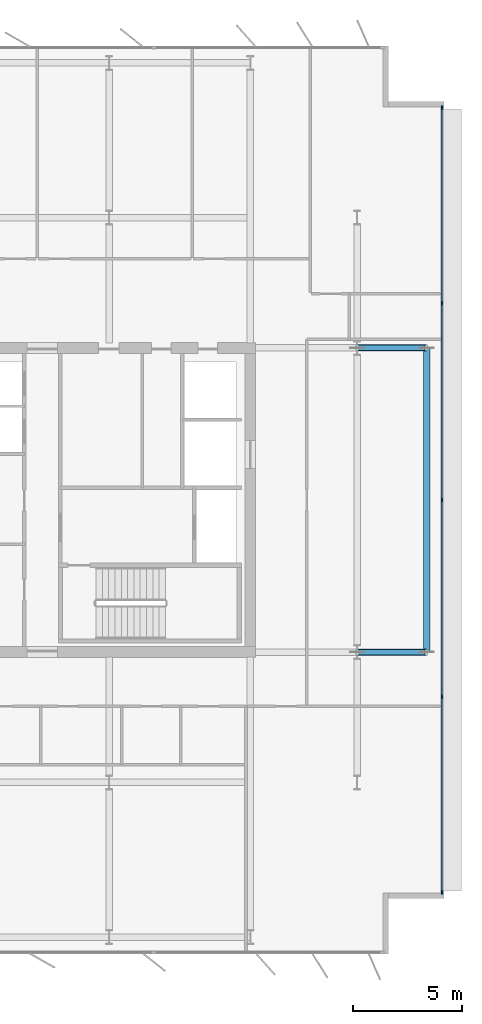
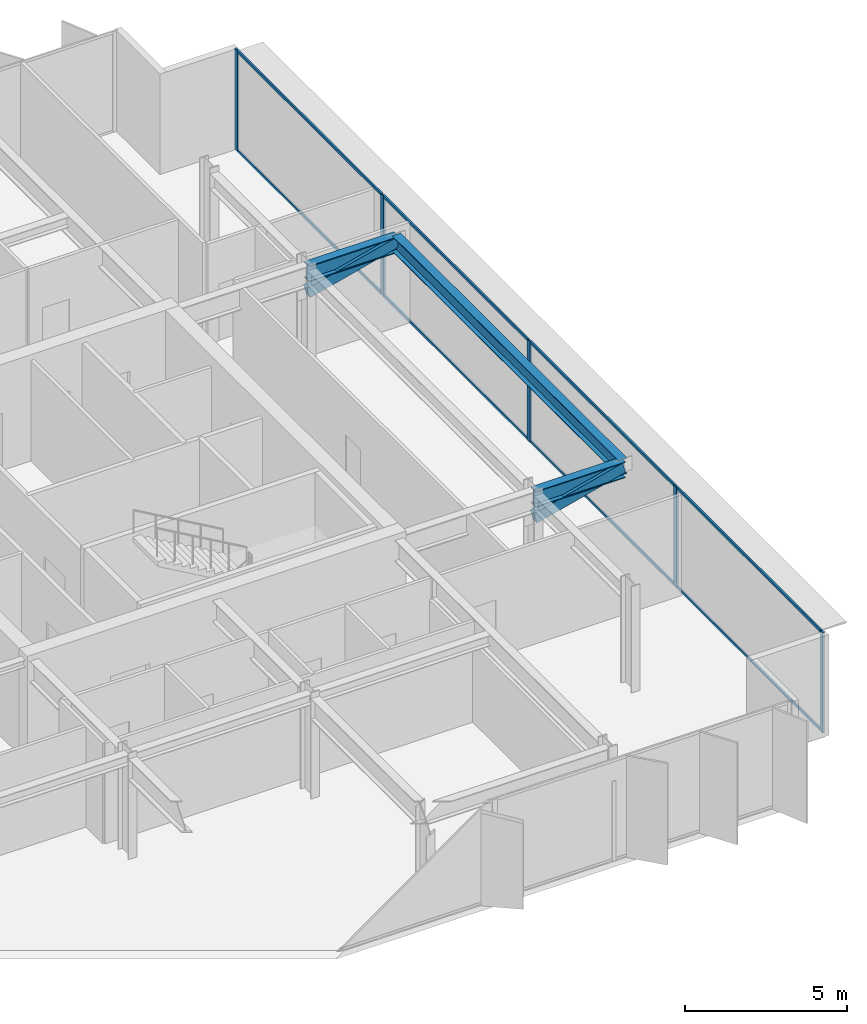
# One storey, part 10 of 20: 15 members, 3 beams, 1 element without a shape of its own.
"""IFC4 building model written with IfcOpenShell, lengths in metres."""

from ifc_helpers import new_model, si_unit, direction, frame, origin, origin_2d, place, context, subcontext, project, spatial, rectangle, hollow_rectangle, i_section, extrude, material, layer, layer_set, material_profile, profile_set, type_object, element, aggregate, save


model = new_model("IFC4")

# Units and contexts
model_context = context("Model", 3, precision=1e-05, world=origin(), true_north=direction((0.0, 1.0)))
body_context = subcontext(model_context, "Body", "Model", "MODEL_VIEW")
ifc_project = project(units=[si_unit("LENGTHUNIT", "METRE"), si_unit("AREAUNIT", "SQUARE_METRE"), si_unit("VOLUMEUNIT", "CUBIC_METRE"), si_unit("PLANEANGLEUNIT", "RADIAN"), si_unit("MASSUNIT", "GRAM", prefix="KILO")], contexts=[model_context])

# Site, building, storey
site_placement = place(None, origin())
site = spatial("IfcSite", under=ifc_project, at=site_placement, CompositionType="ELEMENT")
building_placement = place(site_placement, origin())
building = spatial("IfcBuilding", under=site, at=building_placement, Name="Putna Gate Headquarters", CompositionType="ELEMENT")
storey_placement = place(building_placement, frame((0.0, 0.0, 298.39990234375)))
storey = spatial("IfcBuildingStorey", under=building, at=storey_placement, Name="L75", CompositionType="ELEMENT", Elevation=298.39990234375)

# Beams
ifc_material_1 = material(Name="Steel S355J2", Category="steel")
ifc_material_profile_1 = material_profile(ifc_material_1, i_section(OverallWidth=0.300048828125, OverallDepth=0.60009765625, WebThickness=0.015380859375, FlangeThickness=0.030029296875, at=origin_2d()), Name="Steel S355J2")
ifc_profile_set_1 = profile_set([ifc_material_profile_1], Name="Steel S355J2")
beam_type_1 = type_object("IfcBeamType", Name="BM-GIRD-SAIL-HEB600", PredefinedType="USERDEFINED", material=ifc_profile_set_1)
for number, where, z_axis, x_axis, name in (
    (1, (69.926025390625, 19.0, 3.488037109375), (1.0, 0.0, 0.0), (0.0, 1.0, 0.0), "L75 East Sail Outrigger Bracket Y19"),
    (2, (69.926025390625, 33.0, 3.488037109375), (1.0, 0.0, 0.0), (0.0, 1.0, 0.0), "L75 East Sail Outrigger Bracket Y33"),
):
    element("IfcBeam", number, at=place(storey_placement, frame(where, z_axis=z_axis, x_axis=x_axis)), inside=storey, type_object=beam_type_1, Name=name, ObjectType="GIRDER", PredefinedType="USERDEFINED", context=body_context, shape_type="SweptSolid", body=[
        extrude(i_section(OverallWidth=0.300048828125, OverallDepth=0.60009765625, WebThickness=0.015380859375, FlangeThickness=0.030029296875, at=origin_2d()), origin(), (0.0, 0.0, 1.0), 3.194091796875),
    ])
ifc_material_profile_2 = material_profile(ifc_material_1, i_section(OverallWidth=0.300048828125, OverallDepth=0.590087890625, WebThickness=0.012939453125, FlangeThickness=0.02490234375, at=origin_2d()), Name="Steel S355J2")
ifc_profile_set_2 = profile_set([ifc_material_profile_2], Name="Steel S355J2")
beam_type_2 = type_object("IfcBeamType", Name="BM-SPAN-Z4-HEA600", PredefinedType="SPANDREL", material=ifc_profile_set_2)
beam_placement = place(storey_placement, frame((73.1201171875, 19.02001953125, 3.4931640625), z_axis=(0.0, 1.0, 0.0), x_axis=(-1.0, 0.0, 0.0)))
element("IfcBeam", 3, at=beam_placement, inside=storey, type_object=beam_type_2, Name="L75 East Sail Edge Spandrel", PredefinedType="SPANDREL", context=body_context, shape_type="SweptSolid", body=[
    extrude(i_section(OverallWidth=0.300048828125, OverallDepth=0.590087890625, WebThickness=0.012939453125, FlangeThickness=0.02490234375, at=origin_2d()), origin(), (0.0, 0.0, 1.0), 13.9599609375),
])

# Members
ifc_material_2 = material(Name="Steel S460M", Category="steel")
ifc_material_profile_3 = material_profile(ifc_material_2, hollow_rectangle(XDim=0.25, YDim=0.39990234375, WallThickness=0.01611328125, at=origin_2d()), Name="Steel S460M")
ifc_profile_set_3 = profile_set([ifc_material_profile_3], Name="Steel S460M")
member_type_1 = type_object("IfcMemberType", Name="MEM-SAIL-BRACE-RHS400", PredefinedType="BRACE", material=ifc_profile_set_3)
for number, where, z_axis, x_axis, name in (
    (4, (69.934326171875, 19.0, 2.755126953125), (0.96875163726, 0.0, 0.24803279079), (0.0, 1.0, 0.0), "L75 East Sail Cantilever Raker Y19"),
    (5, (69.934326171875, 33.0, 2.755126953125), (0.96875163726, 0.0, 0.24803279079), (0.0, 1.0, 0.0), "L75 East Sail Cantilever Raker Y33"),
):
    element("IfcMember", number, at=place(storey_placement, frame(where, z_axis=z_axis, x_axis=x_axis)), inside=storey, type_object=member_type_1, Name=name, PredefinedType="BRACE", context=body_context, shape_type="SweptSolid", body=[
        extrude(hollow_rectangle(XDim=0.25, YDim=0.39990234375, WallThickness=0.01611328125, at=origin_2d()), origin(), (0.0, 0.0, 1.0), 3.258056640625),
    ])

# Curtain wall, members
ifc_material_3 = material(Name="Anodised bronze aluminium curtain wall", Category="aluminium")
ifc_layer = layer(ifc_material_3, 0.179931640625)
ifc_layer_set = layer_set([ifc_layer], Name="Anodised bronze aluminium curtain wall")
curtain_wall_type = type_object("IfcCurtainWallType", Name="CW-SYS-Z5", PredefinedType="USERDEFINED", material=ifc_layer_set)
curtain_wall_placement = place(storey_placement, origin())
curtain_wall = element("IfcCurtainWall", 6, at=curtain_wall_placement, inside=storey, type_object=curtain_wall_type, Name="L75 East Curtain Wall", ObjectType="STICK CURTAIN WALL", PredefinedType="USERDEFINED")
ifc_material_4 = material(Name="Anodised bronze aluminium EN AW-6060", Category="aluminium")
ifc_material_profile_4 = material_profile(ifc_material_4, rectangle(XDim=0.070068359375, YDim=0.179931640625, at=origin_2d()), Name="Anodised bronze aluminium EN AW-6060")
ifc_profile_set_4 = profile_set([ifc_material_profile_4], Name="Anodised bronze aluminium EN AW-6060")
member_type_2 = type_object("IfcMemberType", Name="MULL-CWM-5", PredefinedType="MULLION", material=ifc_profile_set_4)
member_1_placement = place(storey_placement, frame((73.8310546875, 7.93505859375, 0.0), z_axis=(0.0, 0.0, 1.0), x_axis=(-1.0, 0.0, 0.0)))
member_1 = element("IfcMember", 7, at=member_1_placement, type_object=member_type_2, Name="CWS-5 mullion 1", PredefinedType="MULLION", context=body_context, shape_type="SweptSolid", body=[
    extrude(rectangle(XDim=0.070068359375, YDim=0.179931640625, at=origin_2d()), origin(), (0.0, 0.0, 1.0), 3.7880859375),
])
member_2_placement = place(storey_placement, frame((73.8310546875, 16.949951171875, 0.0), z_axis=(0.0, 0.0, 1.0), x_axis=(-1.0, 0.0, 0.0)))
member_2 = element("IfcMember", 8, at=member_2_placement, type_object=member_type_2, Name="CWS-5 mullion 2", PredefinedType="MULLION", context=body_context, shape_type="SweptSolid", body=[
    extrude(rectangle(XDim=0.070068359375, YDim=0.179931640625, at=origin_2d()), origin(), (0.0, 0.0, 1.0), 3.7880859375),
])
member_3_placement = place(storey_placement, frame((73.8310546875, 26.0, 0.0), z_axis=(0.0, 0.0, 1.0), x_axis=(-1.0, 0.0, 0.0)))
member_3 = element("IfcMember", 9, at=member_3_placement, type_object=member_type_2, Name="CWS-5 mullion 3", PredefinedType="MULLION", context=body_context, shape_type="SweptSolid", body=[
    extrude(rectangle(XDim=0.070068359375, YDim=0.179931640625, at=origin_2d()), origin(), (0.0, 0.0, 1.0), 3.7880859375),
])
member_4_placement = place(storey_placement, frame((73.8310546875, 35.050048828125, 0.0), z_axis=(0.0, 0.0, 1.0), x_axis=(-1.0, 0.0, 0.0)))
member_4 = element("IfcMember", 10, at=member_4_placement, type_object=member_type_2, Name="CWS-5 mullion 4", PredefinedType="MULLION", context=body_context, shape_type="SweptSolid", body=[
    extrude(rectangle(XDim=0.070068359375, YDim=0.179931640625, at=origin_2d()), origin(), (0.0, 0.0, 1.0), 3.7880859375),
])
member_5_placement = place(storey_placement, frame((73.8310546875, 44.06494140625, 0.0), z_axis=(0.0, 0.0, 1.0), x_axis=(-1.0, 0.0, 0.0)))
member_5 = element("IfcMember", 11, at=member_5_placement, type_object=member_type_2, Name="CWS-5 mullion 5", PredefinedType="MULLION", context=body_context, shape_type="SweptSolid", body=[
    extrude(rectangle(XDim=0.070068359375, YDim=0.179931640625, at=origin_2d()), origin(), (0.0, 0.0, 1.0), 3.7880859375),
])
ifc_material_profile_5 = material_profile(ifc_material_4, rectangle(XDim=0.06005859375, YDim=0.10009765625, at=origin_2d()), Name="Anodised bronze aluminium EN AW-6060")
ifc_profile_set_5 = profile_set([ifc_material_profile_5], Name="Anodised bronze aluminium EN AW-6060")
member_type_3 = type_object("IfcMemberType", Name="TRAN-CWT-5", PredefinedType="USERDEFINED", material=ifc_profile_set_5)
member_6_placement = place(storey_placement, frame((73.8310546875, 7.969970703125, 0.030029296875), z_axis=(0.0, 1.0, 0.0), x_axis=(-1.0, 0.0, 0.0)))
member_6 = element("IfcMember", 12, at=member_6_placement, type_object=member_type_3, Name="CWS-5 transom 1.1", ObjectType="TRANSOM", PredefinedType="USERDEFINED", context=body_context, shape_type="SweptSolid", body=[
    extrude(rectangle(XDim=0.06005859375, YDim=0.10009765625, at=origin_2d()), origin(), (0.0, 0.0, 1.0), 8.945068359375),
])
member_7_placement = place(storey_placement, frame((73.8310546875, 7.969970703125, 3.758056640625), z_axis=(0.0, 1.0, 0.0), x_axis=(-1.0, 0.0, 0.0)))
member_7 = element("IfcMember", 13, at=member_7_placement, type_object=member_type_3, Name="CWS-5 transom 1.2", ObjectType="TRANSOM", PredefinedType="USERDEFINED", context=body_context, shape_type="SweptSolid", body=[
    extrude(rectangle(XDim=0.06005859375, YDim=0.10009765625, at=origin_2d()), origin(), (0.0, 0.0, 1.0), 8.945068359375),
])
member_8_placement = place(storey_placement, frame((73.8310546875, 16.985107421875, 0.030029296875), z_axis=(0.0, 1.0, 0.0), x_axis=(-1.0, 0.0, 0.0)))
member_8 = element("IfcMember", 14, at=member_8_placement, type_object=member_type_3, Name="CWS-5 transom 2.1", ObjectType="TRANSOM", PredefinedType="USERDEFINED", context=body_context, shape_type="SweptSolid", body=[
    extrude(rectangle(XDim=0.06005859375, YDim=0.10009765625, at=origin_2d()), origin(), (0.0, 0.0, 1.0), 8.97998046875),
])
member_9_placement = place(storey_placement, frame((73.8310546875, 16.985107421875, 3.758056640625), z_axis=(0.0, 1.0, 0.0), x_axis=(-1.0, 0.0, 0.0)))
member_9 = element("IfcMember", 15, at=member_9_placement, type_object=member_type_3, Name="CWS-5 transom 2.2", ObjectType="TRANSOM", PredefinedType="USERDEFINED", context=body_context, shape_type="SweptSolid", body=[
    extrude(rectangle(XDim=0.06005859375, YDim=0.10009765625, at=origin_2d()), origin(), (0.0, 0.0, 1.0), 8.97998046875),
])
member_10_placement = place(storey_placement, frame((73.8310546875, 26.034912109375, 0.030029296875), z_axis=(0.0, 1.0, 0.0), x_axis=(-1.0, 0.0, 0.0)))
member_10 = element("IfcMember", 16, at=member_10_placement, type_object=member_type_3, Name="CWS-5 transom 3.1", ObjectType="TRANSOM", PredefinedType="USERDEFINED", context=body_context, shape_type="SweptSolid", body=[
    extrude(rectangle(XDim=0.06005859375, YDim=0.10009765625, at=origin_2d()), origin(), (0.0, 0.0, 1.0), 8.97998046875),
])
member_11_placement = place(storey_placement, frame((73.8310546875, 26.034912109375, 3.758056640625), z_axis=(0.0, 1.0, 0.0), x_axis=(-1.0, 0.0, 0.0)))
member_11 = element("IfcMember", 17, at=member_11_placement, type_object=member_type_3, Name="CWS-5 transom 3.2", ObjectType="TRANSOM", PredefinedType="USERDEFINED", context=body_context, shape_type="SweptSolid", body=[
    extrude(rectangle(XDim=0.06005859375, YDim=0.10009765625, at=origin_2d()), origin(), (0.0, 0.0, 1.0), 8.97998046875),
])
member_12_placement = place(storey_placement, frame((73.8310546875, 35.0849609375, 0.030029296875), z_axis=(0.0, 1.0, 0.0), x_axis=(-1.0, 0.0, 0.0)))
member_12 = element("IfcMember", 18, at=member_12_placement, type_object=member_type_3, Name="CWS-5 transom 4.1", ObjectType="TRANSOM", PredefinedType="USERDEFINED", context=body_context, shape_type="SweptSolid", body=[
    extrude(rectangle(XDim=0.06005859375, YDim=0.10009765625, at=origin_2d()), origin(), (0.0, 0.0, 1.0), 8.945068359375),
])
member_13_placement = place(storey_placement, frame((73.8310546875, 35.0849609375, 3.758056640625), z_axis=(0.0, 1.0, 0.0), x_axis=(-1.0, 0.0, 0.0)))
member_13 = element("IfcMember", 19, at=member_13_placement, type_object=member_type_3, Name="CWS-5 transom 4.2", ObjectType="TRANSOM", PredefinedType="USERDEFINED", context=body_context, shape_type="SweptSolid", body=[
    extrude(rectangle(XDim=0.06005859375, YDim=0.10009765625, at=origin_2d()), origin(), (0.0, 0.0, 1.0), 8.945068359375),
])
aggregate(curtain_wall, [member_1, member_2, member_3, member_4, member_5, member_6, member_7, member_8, member_9, member_10, member_11, member_12, member_13])

save(model, "model.ifc")
